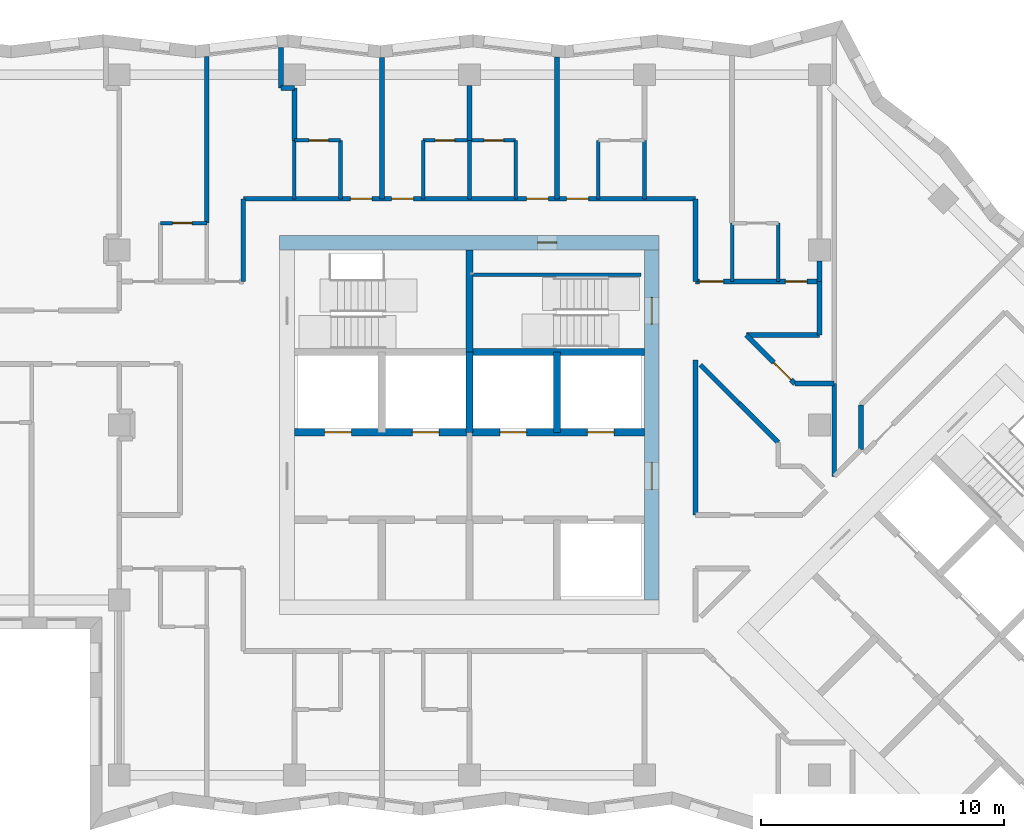
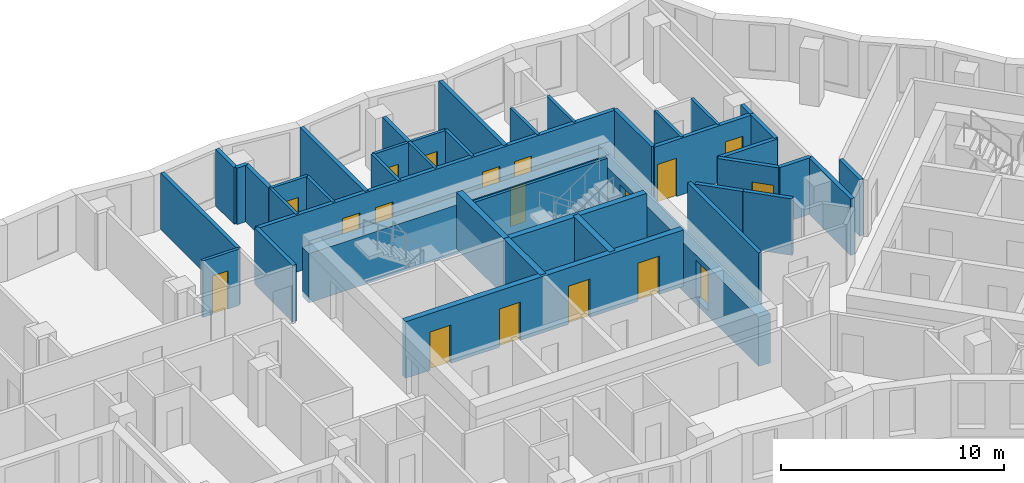
# One storey, part 6 of 12: 41 walls, 18 doors, 18 openings.
"""IFC4 building model written with IfcOpenShell, lengths in metres."""

import ifcopenshell
import ifcopenshell.guid

model = None  # the IFC model being written
_history = None  # IfcOwnerHistory: only IFC2X3 demands one
_inside = {}  # id of a spatial element -> (the spatial element, [elements in it])
_under = {}  # id of a project, library or spatial element -> (it, [spatial elements below it])
_declared = {}  # id of a project -> (the project, [libraries it declares])
_typed = {}  # id of a type object -> (the type object, [elements of that type])
_made_of = {}  # id of a material, layer set ... -> (it, [elements and type objects made of it])


def new_model(schema):
    """Start an empty IFC model of exactly this schema.

    Asked for "IFC4X3", IfcOpenShell would pick the latest addendum, in which some entities
    have other attributes; the version numbers below select the first issue.
    IFC2X3 requires an IfcOwnerHistory on every rooted entity: one is made here for all.
    """
    global model, _history
    if schema == "IFC4X3":
        model = ifcopenshell.file(schema_version=(4, 3, 0, 0))
    else:
        model = ifcopenshell.file(schema=schema)
    _inside.clear()
    _under.clear()
    _declared.clear()
    _typed.clear()
    _made_of.clear()
    _history = None
    if model.schema == "IFC2X3":
        org = make("IfcOrganization", Name="unknown")
        user = make(
            "IfcPersonAndOrganization",
            ThePerson=make("IfcPerson", FamilyName="unknown"),
            TheOrganization=org,
        )
        app = make(
            "IfcApplication",
            ApplicationDeveloper=org,
            Version="unknown",
            ApplicationFullName="unknown",
            ApplicationIdentifier="unknown",
        )
        _history = make(
            "IfcOwnerHistory",
            OwningUser=user,
            OwningApplication=app,
            ChangeAction="ADDED",
            CreationDate=0,
        )
    return model


def make(cls, **values):
    """One entity of the class cls with the attributes given. An attribute that is None is left unset."""
    return model.create_entity(
        cls, **{name: value for name, value in values.items() if value is not None}
    )


def rooted(cls, **values):
    """An entity with a GlobalId (a new one), such as an element, a storey or a relation."""
    return make(cls, GlobalId=ifcopenshell.guid.new(), OwnerHistory=_history, **values)


def si_unit(unit_type, name, prefix=None):
    """IfcSIUnit, for example si_unit("LENGTHUNIT", "METRE", prefix="MILLI")."""
    return make("IfcSIUnit", UnitType=unit_type, Prefix=prefix, Name=name)


def assignment(units):
    """IfcUnitAssignment: the units of a project."""
    return None if units is None else make("IfcUnitAssignment", Units=units)


def point(xyz):
    """IfcCartesianPoint."""
    return None if xyz is None else make("IfcCartesianPoint", Coordinates=xyz)


def direction(xyz):
    """IfcDirection."""
    return None if xyz is None else make("IfcDirection", DirectionRatios=xyz)


def frame(location, z_axis=None, x_axis=None):
    """IfcAxis2Placement3D, a coordinate frame: its origin and axes. An axis left out is left unset."""
    return make(
        "IfcAxis2Placement3D",
        Location=point(location),
        Axis=direction(z_axis),
        RefDirection=direction(x_axis),
    )


def frame_2d(location, x_axis=None):
    """IfcAxis2Placement2D, a coordinate frame in the plane: its origin and x axis."""
    return make(
        "IfcAxis2Placement2D", Location=point(location), RefDirection=direction(x_axis)
    )


def origin():
    """The frame at (0, 0, 0) with its axes left unset."""
    return frame((0.0, 0.0, 0.0))


def place(relative_to, where):
    """IfcLocalPlacement: puts the frame where relative to a parent placement (None: the world)."""
    return make(
        "IfcLocalPlacement", PlacementRelTo=relative_to, RelativePlacement=where
    )


def context(
    kind, dimensions, precision=None, world=None, true_north=None, identifier=None
):
    """IfcGeometricRepresentationContext, for example the 3D "Model" context."""
    return make(
        "IfcGeometricRepresentationContext",
        ContextIdentifier=identifier,
        ContextType=kind,
        CoordinateSpaceDimension=dimensions,
        Precision=precision,
        WorldCoordinateSystem=world,
        TrueNorth=true_north,
    )


def subcontext(parent, identifier, kind, view, scale=None):
    """IfcGeometricRepresentationSubContext, for example "Body" below "Model"."""
    return make(
        "IfcGeometricRepresentationSubContext",
        ContextIdentifier=identifier,
        ContextType=kind,
        ParentContext=parent,
        TargetScale=scale,
        TargetView=view,
    )


def project(units=None, contexts=None):
    """IfcProject with its units and contexts."""
    return rooted(
        "IfcProject",
        Name="project",
        RepresentationContexts=contexts,
        UnitsInContext=assignment(units),
    )


def spatial(cls, under=None, at=None, **own):
    """A site, building, storey or space (cls), placed at a placement, below another one or the project."""
    s = rooted(cls, ObjectPlacement=at, **own)
    if under is not None:
        _under.setdefault(under.id(), (under, []))[1].append(s)
    return s


def profile(cls, at=None, kind="AREA", **sizes):
    """A parametric profile (cls). Its sizes go by their IFC names, for example OverallWidth=200.0."""
    return make(cls, ProfileType=kind, Position=at, **sizes)


def rectangle(**sizes):
    """IfcRectangleProfileDef."""
    return profile("IfcRectangleProfileDef", **sizes)


def extrude(swept, where, along, depth):
    """IfcExtrudedAreaSolid: the profile swept, set in the frame where, extruded along a direction by depth."""
    return make(
        "IfcExtrudedAreaSolid",
        SweptArea=swept,
        Position=where,
        ExtrudedDirection=direction(along),
        Depth=depth,
    )


def shape(context_of_items, identifier, shape_type, items):
    """IfcShapeRepresentation: the items that make up one representation, for example the "Body"."""
    return make(
        "IfcShapeRepresentation",
        ContextOfItems=context_of_items,
        RepresentationIdentifier=identifier,
        RepresentationType=shape_type,
        Items=items,
    )


def material(Name=None, Category=None):
    """IfcMaterial."""
    return make("IfcMaterial", Name=Name, Category=Category)


def layer(
    of_material, thickness, ventilated=None, Name=None, Category=None, Priority=None
):
    """IfcMaterialLayer: one layer of a wall or slab, of a material (None: an air gap)."""
    return make(
        "IfcMaterialLayer",
        Material=of_material,
        LayerThickness=thickness,
        IsVentilated=ventilated,
        Name=Name,
        Category=Category,
        Priority=Priority,
    )


def layer_set(layers, Name=None):
    """IfcMaterialLayerSet."""
    return make("IfcMaterialLayerSet", MaterialLayers=layers, LayerSetName=Name)


def made_of(thing, what):
    """Note that an element or type object is made of a material, layer set ...; save() writes the relation."""
    if what is not None:
        _made_of.setdefault(what.id(), (what, []))[1].append(thing)
    return thing


def type_object(cls, material=None, **own):
    """A type object (cls), such as IfcWallType, which elements share."""
    return made_of(rooted(cls, **own), material)


def element(
    cls,
    number,
    at=None,
    inside=None,
    cuts=None,
    type_object=None,
    material=None,
    context=None,
    identifier="Body",
    shape_type=None,
    held_by="IfcProductDefinitionShape",
    body=None,
    shapes=None,
    **own,
):
    """One element of the class cls, such as IfcWall. Its Tag is "e" and its number.

    at: its placement. inside: the storey or other place that contains it. cuts: it is an
    opening in that element (IfcRelVoidsElement). A single representation is given by context,
    identifier, shape_type and body (its items); several are given by shapes. held_by: the class
    of the entity that holds the representations. save() writes the other relations.
    """
    e = rooted(cls, Tag="e%d" % number, ObjectPlacement=at, **own)
    if body is not None:
        shapes = [shape(context, identifier, shape_type, body)]
    if shapes is not None:
        e.Representation = make(held_by, Representations=shapes)
    if inside is not None:
        _inside.setdefault(inside.id(), (inside, []))[1].append(e)
    if cuts is not None:
        rooted(
            "IfcRelVoidsElement", RelatingBuildingElement=cuts, RelatedOpeningElement=e
        )
    if type_object is not None:
        _typed.setdefault(type_object.id(), (type_object, []))[1].append(e)
    return made_of(e, material)


def fill(opening, filler):
    """IfcRelFillsElement: the door or window that sits in an opening."""
    return rooted(
        "IfcRelFillsElement",
        RelatingOpeningElement=opening,
        RelatedBuildingElement=filler,
    )


def aggregate(whole, parts):
    """IfcRelAggregates: a whole, such as a stair, and the parts it consists of."""
    return rooted("IfcRelAggregates", RelatingObject=whole, RelatedObjects=parts)


def save(model, path):
    """Write the relations noted so far, then the file.

    IfcRelAggregates (storeys below a building ...), IfcRelContainedInSpatialStructure (elements
    in a storey), IfcRelDefinesByType, IfcRelAssociatesMaterial and IfcRelDeclares: one each for
    every whole, place, type object, material and project.
    """
    for whole, parts in _under.values():
        aggregate(whole, parts)
    for where, things in _inside.values():
        rooted(
            "IfcRelContainedInSpatialStructure",
            RelatedElements=things,
            RelatingStructure=where,
        )
    for kind, things in _typed.values():
        rooted("IfcRelDefinesByType", RelatedObjects=things, RelatingType=kind)
    for what, things in _made_of.values():
        rooted("IfcRelAssociatesMaterial", RelatedObjects=things, RelatingMaterial=what)
    for by, libraries in _declared.values():
        rooted("IfcRelDeclares", RelatingContext=by, RelatedDefinitions=libraries)
    model.write(path)


model = new_model("IFC4")

# Units and contexts
model_context = context("Model", 3, precision=1e-05, world=origin(), true_north=direction((0.0, 1.0)))
body_context = subcontext(model_context, "Body", "Model", "MODEL_VIEW")
ifc_project = project(units=[si_unit("LENGTHUNIT", "METRE"), si_unit("AREAUNIT", "SQUARE_METRE"), si_unit("VOLUMEUNIT", "CUBIC_METRE"), si_unit("PLANEANGLEUNIT", "RADIAN"), si_unit("MASSUNIT", "GRAM", prefix="KILO")], contexts=[model_context])

# Site, building, storey
site_placement = place(None, origin())
site = spatial("IfcSite", under=ifc_project, at=site_placement, CompositionType="ELEMENT")
building_placement = place(site_placement, origin())
building = spatial("IfcBuilding", under=site, at=building_placement, Name="Windrow Commons", CompositionType="ELEMENT")
storey_placement = place(building_placement, frame((0.0, 0.0, 152.4)))
storey = spatial("IfcBuildingStorey", under=building, at=storey_placement, Name="L41", CompositionType="ELEMENT", Elevation=152.4)

# Wall, openings, doors
ifc_material_1 = material(Name="Blockwork partition", Category="masonry")
ifc_layer_1 = layer(ifc_material_1, 0.2)
ifc_layer_set_1 = layer_set([ifc_layer_1], Name="IW-CORRIDOR-200")
wall_type_1 = type_object("IfcWallType", Name="IW-CORRIDOR-200", PredefinedType="PARTITIONING", material=ifc_layer_set_1)
wall_1_placement = place(storey_placement, frame((55.5, 66.9, 0.0), z_axis=(0.0, 0.0, 1.0), x_axis=(1.0, 0.0, 0.0)))
wall_1 = element("IfcWall", 1, at=wall_1_placement, inside=storey, type_object=wall_type_1, Name="W-L41-W002", PredefinedType="PARTITIONING", context=body_context, shape_type="SweptSolid", body=[
    extrude(rectangle(XDim=18.6, YDim=0.2, at=frame_2d((9.3, 0.0))), origin(), (0.0, 0.0, 1.0), 3.1),
])
opening_1_placement = place(wall_1_placement, frame((4.4, 0.0, 0.0)))
opening_1 = element("IfcOpeningElement", 2, at=opening_1_placement, cuts=wall_1, Name="Opening D109S", PredefinedType="OPENING", context=body_context, shape_type="SweptSolid", body=[
    extrude(rectangle(XDim=0.9, YDim=2.1, at=frame_2d((0.45, 1.05))), frame((0.0, 0.11, 0.0), z_axis=(0.0, -1.0, 0.0), x_axis=(1.0, 0.0, 0.0)), (0.0, 0.0, 1.0), 0.22),
])
opening_2_placement = place(wall_1_placement, frame((6.1, 0.0, 0.0)))
opening_2 = element("IfcOpeningElement", 3, at=opening_2_placement, cuts=wall_1, Name="Opening D109S", PredefinedType="OPENING", context=body_context, shape_type="SweptSolid", body=[
    extrude(rectangle(XDim=0.9, YDim=2.1, at=frame_2d((0.45, 1.05))), frame((0.0, 0.11, 0.0), z_axis=(0.0, -1.0, 0.0), x_axis=(1.0, 0.0, 0.0)), (0.0, 0.0, 1.0), 0.22),
])
opening_3_placement = place(wall_1_placement, frame((11.65, 0.0, 0.0)))
opening_3 = element("IfcOpeningElement", 4, at=opening_3_placement, cuts=wall_1, Name="Opening D109S", PredefinedType="OPENING", context=body_context, shape_type="SweptSolid", body=[
    extrude(rectangle(XDim=0.9, YDim=2.1, at=frame_2d((0.45, 1.05))), frame((0.0, 0.11, 0.0), z_axis=(0.0, -1.0, 0.0), x_axis=(1.0, 0.0, 0.0)), (0.0, 0.0, 1.0), 0.22),
])
opening_4_placement = place(wall_1_placement, frame((13.3, 0.0, 0.0)))
opening_4 = element("IfcOpeningElement", 5, at=opening_4_placement, cuts=wall_1, Name="Opening D109S", PredefinedType="OPENING", context=body_context, shape_type="SweptSolid", body=[
    extrude(rectangle(XDim=0.9, YDim=2.1, at=frame_2d((0.45, 1.05))), frame((0.0, 0.11, 0.0), z_axis=(0.0, -1.0, 0.0), x_axis=(1.0, 0.0, 0.0)), (0.0, 0.0, 1.0), 0.22),
])
ifc_material_2 = material(Name="Timber door leaf", Category="wood")
door_type_1 = type_object("IfcDoorType", Name="DT-BEDROOM-900", OperationType="SINGLE_SWING_LEFT", PredefinedType="DOOR", material=ifc_material_2)
door_1_placement = place(opening_1_placement, origin())
door_1 = element("IfcDoor", 6, at=door_1_placement, inside=storey, type_object=door_type_1, Name="D-L41-D008", OperationType="SINGLE_SWING_RIGHT", OverallHeight=2.1, OverallWidth=0.9, PredefinedType="DOOR", context=body_context, shape_type="SweptSolid", body=[
    extrude(rectangle(XDim=0.9, YDim=2.1, at=frame_2d((0.45, 1.05))), frame((0.0, 0.025, 0.0), z_axis=(0.0, -1.0, 0.0), x_axis=(1.0, 0.0, 0.0)), (0.0, 0.0, 1.0), 0.05),
])
fill(opening_1, door_1)
door_2_placement = place(opening_2_placement, origin())
door_2 = element("IfcDoor", 7, at=door_2_placement, inside=storey, type_object=door_type_1, Name="D-L41-D010", OperationType="SINGLE_SWING_LEFT", OverallHeight=2.1, OverallWidth=0.9, PredefinedType="DOOR", context=body_context, shape_type="SweptSolid", body=[
    extrude(rectangle(XDim=0.9, YDim=2.1, at=frame_2d((0.45, 1.05))), frame((0.0, 0.025, 0.0), z_axis=(0.0, -1.0, 0.0), x_axis=(1.0, 0.0, 0.0)), (0.0, 0.0, 1.0), 0.05),
])
fill(opening_2, door_2)
door_3_placement = place(opening_3_placement, origin())
door_3 = element("IfcDoor", 8, at=door_3_placement, inside=storey, type_object=door_type_1, Name="D-L41-D012", OperationType="SINGLE_SWING_RIGHT", OverallHeight=2.1, OverallWidth=0.9, PredefinedType="DOOR", context=body_context, shape_type="SweptSolid", body=[
    extrude(rectangle(XDim=0.9, YDim=2.1, at=frame_2d((0.45, 1.05))), frame((0.0, 0.025, 0.0), z_axis=(0.0, -1.0, 0.0), x_axis=(1.0, 0.0, 0.0)), (0.0, 0.0, 1.0), 0.05),
])
fill(opening_3, door_3)
door_4_placement = place(opening_4_placement, origin())
door_4 = element("IfcDoor", 9, at=door_4_placement, inside=storey, type_object=door_type_1, Name="D-L41-D014", OperationType="SINGLE_SWING_LEFT", OverallHeight=2.1, OverallWidth=0.9, PredefinedType="DOOR", context=body_context, shape_type="SweptSolid", body=[
    extrude(rectangle(XDim=0.9, YDim=2.1, at=frame_2d((0.45, 1.05))), frame((0.0, 0.025, 0.0), z_axis=(0.0, -1.0, 0.0), x_axis=(1.0, 0.0, 0.0)), (0.0, 0.0, 1.0), 0.05),
])
fill(opening_4, door_4)

# Wall
wall_2_placement = place(storey_placement, frame((74.1, 53.902, 0.0), z_axis=(0.0, 0.0, 1.0), x_axis=(0.0, 1.0, 0.0)))
element("IfcWall", 10, at=wall_2_placement, inside=storey, type_object=wall_type_1, Name="W-L41-W019", PredefinedType="PARTITIONING", context=body_context, shape_type="SweptSolid", body=[
    extrude(rectangle(XDim=6.366, YDim=0.2, at=frame_2d((3.183, 0.0))), origin(), (0.0, 0.0, 1.0), 3.1),
])

# Wall, openings, doors
wall_3_placement = place(storey_placement, frame((74.102, 63.5, 0.0), z_axis=(0.0, 0.0, 1.0), x_axis=(1.0, 0.0, 0.0)))
wall_3 = element("IfcWall", 11, at=wall_3_placement, inside=storey, type_object=wall_type_1, Name="W-L41-W039", PredefinedType="PARTITIONING", context=body_context, shape_type="SweptSolid", body=[
    extrude(rectangle(XDim=5.098, YDim=0.2, at=frame_2d((2.549, 0.0))), origin(), (0.0, 0.0, 1.0), 3.1),
])
opening_5_placement = place(wall_3_placement, frame((0.1491, 0.0, 0.0)))
opening_5 = element("IfcOpeningElement", 12, at=opening_5_placement, cuts=wall_3, Name="Opening D310F", PredefinedType="OPENING", context=body_context, shape_type="SweptSolid", body=[
    extrude(rectangle(XDim=1.0, YDim=2.1, at=frame_2d((0.5, 1.05))), frame((0.0, 0.11, 0.0), z_axis=(0.0, -1.0, 0.0), x_axis=(1.0, 0.0, 0.0)), (0.0, 0.0, 1.0), 0.22),
])
opening_6_placement = place(wall_3_placement, frame((3.688, 0.0, 0.0)))
opening_6 = element("IfcOpeningElement", 13, at=opening_6_placement, cuts=wall_3, Name="Opening D109S", PredefinedType="OPENING", context=body_context, shape_type="SweptSolid", body=[
    extrude(rectangle(XDim=0.9, YDim=2.1, at=frame_2d((0.45, 1.05))), frame((0.0, 0.11, 0.0), z_axis=(0.0, -1.0, 0.0), x_axis=(1.0, 0.0, 0.0)), (0.0, 0.0, 1.0), 0.22),
])
ifc_material_3 = material(Name="Timber door leaf", Category="wood")
door_type_2 = type_object("IfcDoorType", Name="DT-AMENITY-1000", OperationType="SINGLE_SWING_LEFT", PredefinedType="DOOR", material=ifc_material_3)
door_5_placement = place(opening_5_placement, origin())
door_5 = element("IfcDoor", 14, at=door_5_placement, inside=storey, type_object=door_type_2, Name="D-L41-D026", OperationType="SINGLE_SWING_RIGHT", OverallHeight=2.1, OverallWidth=1.0, PredefinedType="DOOR", context=body_context, shape_type="SweptSolid", body=[
    extrude(rectangle(XDim=1.0, YDim=2.1, at=frame_2d((0.5, 1.05))), frame((0.0, 0.025, 0.0), z_axis=(0.0, -1.0, 0.0), x_axis=(1.0, 0.0, 0.0)), (0.0, 0.0, 1.0), 0.05),
])
fill(opening_5, door_5)
door_6_placement = place(opening_6_placement, origin())
door_6 = element("IfcDoor", 15, at=door_6_placement, inside=storey, type_object=door_type_1, Name="D-L41-D027", OperationType="SINGLE_SWING_LEFT", OverallHeight=2.1, OverallWidth=0.9, PredefinedType="DOOR", context=body_context, shape_type="SweptSolid", body=[
    extrude(rectangle(XDim=0.9, YDim=2.1, at=frame_2d((0.45, 1.05))), frame((0.0, 0.025, 0.0), z_axis=(0.0, -1.0, 0.0), x_axis=(1.0, 0.0, 0.0)), (0.0, 0.0, 1.0), 0.05),
])
fill(opening_6, door_6)

# Walls
wall_4_placement = place(storey_placement, frame((79.8, 55.49, 0.0), z_axis=(0.0, 0.0, 1.0), x_axis=(0.0, 1.0, 0.0)))
element("IfcWall", 16, at=wall_4_placement, inside=storey, type_object=wall_type_1, Name="W-L41-W045", PredefinedType="PARTITIONING", context=body_context, shape_type="SweptSolid", body=[
    extrude(rectangle(XDim=3.81, YDim=0.2, at=frame_2d((1.905, 0.0))), origin(), (0.0, 0.0, 1.0), 3.1),
])
for number, where, z_axis, x_axis, name in (
    (17, (55.5, 63.502, 0.0), (0.0, 0.0, 1.0), (0.0, 1.0, 0.0), "W-L41-W050"),
    (18, (74.1, 63.502, 0.0), (0.0, 0.0, 1.0), (0.0, 1.0, 0.0), "W-L41-W051"),
):
    element("IfcWall", number, at=place(storey_placement, frame(where, z_axis=z_axis, x_axis=x_axis)), inside=storey, type_object=wall_type_1, Name=name, PredefinedType="PARTITIONING", context=body_context, shape_type="SweptSolid", body=[
        extrude(rectangle(XDim=3.398, YDim=0.2, at=frame_2d((1.699, 0.0))), origin(), (0.0, 0.0, 1.0), 3.1),
    ])
wall_5_placement = place(storey_placement, frame((76.184, 61.3, 0.0), z_axis=(0.0, 0.0, 1.0), x_axis=(1.0, 0.0, 0.0)))
element("IfcWall", 19, at=wall_5_placement, inside=storey, type_object=wall_type_1, Name="W-L41-W056", PredefinedType="PARTITIONING", context=body_context, shape_type="SweptSolid", body=[
    extrude(rectangle(XDim=3.016, YDim=0.2, at=frame_2d((1.508, 0.0))), origin(), (0.0, 0.0, 1.0), 3.1),
])

# Wall, opening, door
wall_6_placement = place(storey_placement, frame((76.1809, 61.2949, 0.0), z_axis=(0.0, 0.0, 1.0), x_axis=(0.7071067812, -0.7071067812, 0.0)))
wall_6 = element("IfcWall", 20, at=wall_6_placement, inside=storey, type_object=wall_type_1, Name="W-L41-W059", PredefinedType="PARTITIONING", context=body_context, shape_type="SweptSolid", body=[
    extrude(rectangle(XDim=2.8256, YDim=0.2, at=frame_2d((1.4128, 0.0))), origin(), (0.0, 0.0, 1.0), 3.1),
])
opening_7_placement = place(wall_6_placement, frame((1.6002, 0.0, 0.0)))
opening_7 = element("IfcOpeningElement", 21, at=opening_7_placement, cuts=wall_6, Name="Opening D410F", PredefinedType="OPENING", context=body_context, shape_type="SweptSolid", body=[
    extrude(rectangle(XDim=1.0, YDim=2.1, at=frame_2d((0.5, 1.05))), frame((0.0, 0.11, 0.0), z_axis=(0.0, -1.0, 0.0), x_axis=(1.0, 0.0, 0.0)), (0.0, 0.0, 1.0), 0.22),
])
ifc_material_4 = material(Name="Timber door leaf", Category="wood")
door_type_3 = type_object("IfcDoorType", Name="DT-SERVICE-1000", OperationType="SINGLE_SWING_LEFT", PredefinedType="DOOR", material=ifc_material_4)
door_7_placement = place(opening_7_placement, origin())
door_7 = element("IfcDoor", 22, at=door_7_placement, inside=storey, type_object=door_type_3, Name="D-L41-D039", OperationType="SINGLE_SWING_LEFT", OverallHeight=2.1, OverallWidth=1.0, PredefinedType="DOOR", context=body_context, shape_type="SweptSolid", body=[
    extrude(rectangle(XDim=1.0, YDim=2.1, at=frame_2d((0.5, 1.05))), frame((0.0, 0.025, 0.0), z_axis=(0.0, -1.0, 0.0), x_axis=(1.0, 0.0, 0.0)), (0.0, 0.0, 1.0), 0.05),
])
fill(opening_7, door_7)

# Walls
wall_7_placement = place(storey_placement, frame((75.8786, 58.4966, 0.0), z_axis=(0.0, 0.0, 1.0), x_axis=(0.7075423257, -0.7066709682, 0.0)))
element("IfcWall", 23, at=wall_7_placement, inside=storey, type_object=wall_type_1, Name="W-L41-W098", PredefinedType="PARTITIONING", context=body_context, shape_type="SweptSolid", body=[
    extrude(rectangle(XDim=2.2953, YDim=0.2, at=frame_2d((1.1477, 0.0))), origin(), (0.0, 0.0, 1.0), 3.1),
])
wall_8_placement = place(storey_placement, frame((74.2972, 60.0672, 0.0), z_axis=(0.0, 0.0, 1.0), x_axis=(0.7071067812, -0.7071067812, 0.0)))
element("IfcWall", 24, at=wall_8_placement, inside=storey, type_object=wall_type_1, Name="W-L41-W105", PredefinedType="PARTITIONING", context=body_context, shape_type="SweptSolid", body=[
    extrude(rectangle(XDim=2.2288, YDim=0.2, at=frame_2d((1.1144, 0.0))), origin(), (0.0, 0.0, 1.0), 3.1),
])
wall_9_placement = place(storey_placement, frame((79.2, 61.302, 0.0), z_axis=(0.0, 0.0, 1.0), x_axis=(0.0, 1.0, 0.0)))
element("IfcWall", 25, at=wall_9_placement, inside=storey, type_object=wall_type_1, Name="W-L41-W110", PredefinedType="PARTITIONING", context=body_context, shape_type="SweptSolid", body=[
    extrude(rectangle(XDim=2.198, YDim=0.2, at=frame_2d((1.099, 0.0))), origin(), (0.0, 0.0, 1.0), 3.1),
])
wall_10_placement = place(storey_placement, frame((78.182, 59.3, 0.0), z_axis=(0.0, 0.0, 1.0), x_axis=(1.0, 0.0, 0.0)))
element("IfcWall", 26, at=wall_10_placement, inside=storey, type_object=wall_type_1, Name="W-L41-W141", PredefinedType="PARTITIONING", context=body_context, shape_type="SweptSolid", body=[
    extrude(rectangle(XDim=1.618, YDim=0.2, at=frame_2d((0.809, 0.0))), origin(), (0.0, 0.0, 1.0), 3.1),
])

# Wall, openings, doors
ifc_material_5 = material(Name="Blockwork partition", Category="masonry")
ifc_layer_2 = layer(ifc_material_5, 0.15)
ifc_layer_set_2 = layer_set([ifc_layer_2], Name="IW-ENSUITE-150")
wall_type_2 = type_object("IfcWallType", Name="IW-ENSUITE-150", PredefinedType="PARTITIONING", material=ifc_layer_set_2)
wall_11_placement = place(storey_placement, frame((62.9, 69.3, 0.0), z_axis=(0.0, 0.0, 1.0), x_axis=(1.0, 0.0, 0.0)))
wall_11 = element("IfcWall", 27, at=wall_11_placement, inside=storey, type_object=wall_type_2, Name="W-L41-W046", PredefinedType="PARTITIONING", context=body_context, shape_type="SweptSolid", body=[
    extrude(rectangle(XDim=3.8, YDim=0.15, at=frame_2d((1.9, 0.0))), origin(), (0.0, 0.0, 1.0), 3.1),
])
opening_8_placement = place(wall_11_placement, frame((0.4931, 0.0, 0.0)))
opening_8 = element("IfcOpeningElement", 28, at=opening_8_placement, cuts=wall_11, Name="Opening D208N", PredefinedType="OPENING", context=body_context, shape_type="SweptSolid", body=[
    extrude(rectangle(XDim=0.8, YDim=2.1, at=frame_2d((0.4, 1.05))), frame((0.0, 0.085, 0.0), z_axis=(0.0, -1.0, 0.0), x_axis=(1.0, 0.0, 0.0)), (0.0, 0.0, 1.0), 0.17),
])
opening_9_placement = place(wall_11_placement, frame((2.5069, 0.0, 0.0)))
opening_9 = element("IfcOpeningElement", 29, at=opening_9_placement, cuts=wall_11, Name="Opening D208N", PredefinedType="OPENING", context=body_context, shape_type="SweptSolid", body=[
    extrude(rectangle(XDim=0.8, YDim=2.1, at=frame_2d((0.4, 1.05))), frame((0.0, 0.085, 0.0), z_axis=(0.0, -1.0, 0.0), x_axis=(1.0, 0.0, 0.0)), (0.0, 0.0, 1.0), 0.17),
])
ifc_material_6 = material(Name="Timber door leaf", Category="wood")
door_type_4 = type_object("IfcDoorType", Name="DT-ENSUITE-800", OperationType="SINGLE_SWING_LEFT", PredefinedType="DOOR", material=ifc_material_6)
door_8_placement = place(opening_8_placement, origin())
door_8 = element("IfcDoor", 30, at=door_8_placement, inside=storey, type_object=door_type_4, Name="D-L41-D011", OperationType="SINGLE_SWING_RIGHT", OverallHeight=2.1, OverallWidth=0.8, PredefinedType="DOOR", context=body_context, shape_type="SweptSolid", body=[
    extrude(rectangle(XDim=0.8, YDim=2.1, at=frame_2d((0.4, 1.05))), frame((0.0, 0.025, 0.0), z_axis=(0.0, -1.0, 0.0), x_axis=(1.0, 0.0, 0.0)), (0.0, 0.0, 1.0), 0.05),
])
fill(opening_8, door_8)
door_9_placement = place(opening_9_placement, origin())
door_9 = element("IfcDoor", 31, at=door_9_placement, inside=storey, type_object=door_type_4, Name="D-L41-D013", OperationType="SINGLE_SWING_RIGHT", OverallHeight=2.1, OverallWidth=0.8, PredefinedType="DOOR", context=body_context, shape_type="SweptSolid", body=[
    extrude(rectangle(XDim=0.8, YDim=2.1, at=frame_2d((0.4, 1.05))), frame((0.0, 0.025, 0.0), z_axis=(0.0, -1.0, 0.0), x_axis=(1.0, 0.0, 0.0)), (0.0, 0.0, 1.0), 0.05),
])
fill(opening_9, door_9)

# Walls
for number, where, z_axis, x_axis, name in (
    (32, (75.6, 63.5, 0.0), (0.0, 0.0, 1.0), (0.0, 1.0, 0.0), "W-L41-W080"),
    (33, (77.5, 63.5, 0.0), (0.0, 0.0, 1.0), (0.0, 1.0, 0.0), "W-L41-W081"),
    (34, (59.5, 66.9, 0.0), (0.0, 0.0, 1.0), (0.0, 1.0, 0.0), "W-L41-W088"),
    (35, (57.6, 66.9, 0.0), (0.0, 0.0, 1.0), (0.0, 1.0, 0.0), "W-L41-W089"),
    (36, (62.9, 66.9, 0.0), (0.0, 0.0, 1.0), (0.0, 1.0, 0.0), "W-L41-W090"),
    (37, (64.8, 66.9, 0.0), (0.0, 0.0, 1.0), (0.0, 1.0, 0.0), "W-L41-W091"),
    (38, (66.7, 66.9, 0.0), (0.0, 0.0, 1.0), (0.0, 1.0, 0.0), "W-L41-W092"),
    (39, (70.1, 66.9, 0.0), (0.0, 0.0, 1.0), (0.0, 1.0, 0.0), "W-L41-W093"),
    (40, (72.0, 66.9, 0.0), (0.0, 0.0, 1.0), (0.0, 1.0, 0.0), "W-L41-W094"),
):
    element("IfcWall", number, at=place(storey_placement, frame(where, z_axis=z_axis, x_axis=x_axis)), inside=storey, type_object=wall_type_2, Name=name, PredefinedType="PARTITIONING", context=body_context, shape_type="SweptSolid", body=[
        extrude(rectangle(XDim=2.4, YDim=0.15, at=frame_2d((1.2, 0.0))), origin(), (0.0, 0.0, 1.0), 3.1),
    ])

# Wall, opening, door
wall_12_placement = place(storey_placement, frame((52.1, 65.9, 0.0), z_axis=(0.0, 0.0, 1.0), x_axis=(1.0, 0.0, 0.0)))
wall_12 = element("IfcWall", 41, at=wall_12_placement, inside=storey, type_object=wall_type_2, Name="W-L41-W129", PredefinedType="PARTITIONING", context=body_context, shape_type="SweptSolid", body=[
    extrude(rectangle(XDim=1.9, YDim=0.15, at=frame_2d((0.95, 0.0))), origin(), (0.0, 0.0, 1.0), 3.1),
])
opening_10_placement = place(wall_12_placement, frame((0.4931, 0.0, 0.0)))
opening_10 = element("IfcOpeningElement", 42, at=opening_10_placement, cuts=wall_12, Name="Opening D208N", PredefinedType="OPENING", context=body_context, shape_type="SweptSolid", body=[
    extrude(rectangle(XDim=0.8, YDim=2.1, at=frame_2d((0.4, 1.05))), frame((0.0, 0.085, 0.0), z_axis=(0.0, -1.0, 0.0), x_axis=(1.0, 0.0, 0.0)), (0.0, 0.0, 1.0), 0.17),
])
door_10_placement = place(opening_10_placement, origin())
door_10 = element("IfcDoor", 43, at=door_10_placement, inside=storey, type_object=door_type_4, Name="D-L41-D024", OperationType="SINGLE_SWING_RIGHT", OverallHeight=2.1, OverallWidth=0.8, PredefinedType="DOOR", context=body_context, shape_type="SweptSolid", body=[
    extrude(rectangle(XDim=0.8, YDim=2.1, at=frame_2d((0.4, 1.05))), frame((0.0, 0.025, 0.0), z_axis=(0.0, -1.0, 0.0), x_axis=(1.0, 0.0, 0.0)), (0.0, 0.0, 1.0), 0.05),
])
fill(opening_10, door_10)

wall_13_placement = place(storey_placement, frame((57.6, 69.3, 0.0), z_axis=(0.0, 0.0, 1.0), x_axis=(1.0, 0.0, 0.0)))
wall_13 = element("IfcWall", 44, at=wall_13_placement, inside=storey, type_object=wall_type_2, Name="W-L41-W132", PredefinedType="PARTITIONING", context=body_context, shape_type="SweptSolid", body=[
    extrude(rectangle(XDim=1.9, YDim=0.15, at=frame_2d((0.95, 0.0))), origin(), (0.0, 0.0, 1.0), 3.1),
])
opening_11_placement = place(wall_13_placement, frame((0.6069, 0.0, 0.0)))
opening_11 = element("IfcOpeningElement", 45, at=opening_11_placement, cuts=wall_13, Name="Opening D208N", PredefinedType="OPENING", context=body_context, shape_type="SweptSolid", body=[
    extrude(rectangle(XDim=0.8, YDim=2.1, at=frame_2d((0.4, 1.05))), frame((0.0, 0.085, 0.0), z_axis=(0.0, -1.0, 0.0), x_axis=(1.0, 0.0, 0.0)), (0.0, 0.0, 1.0), 0.17),
])
door_11_placement = place(opening_11_placement, origin())
door_11 = element("IfcDoor", 46, at=door_11_placement, inside=storey, type_object=door_type_4, Name="D-L41-D009", OperationType="SINGLE_SWING_RIGHT", OverallHeight=2.1, OverallWidth=0.8, PredefinedType="DOOR", context=body_context, shape_type="SweptSolid", body=[
    extrude(rectangle(XDim=0.8, YDim=2.1, at=frame_2d((0.4, 1.05))), frame((0.0, 0.025, 0.0), z_axis=(0.0, -1.0, 0.0), x_axis=(1.0, 0.0, 0.0)), (0.0, 0.0, 1.0), 0.05),
])
fill(opening_11, door_11)

# Walls
ifc_material_7 = material(Name="Blockwork partition", Category="masonry")
ifc_layer_3 = layer(ifc_material_7, 0.2)
ifc_layer_set_3 = layer_set([ifc_layer_3], Name="IW-PARTY-200")
wall_type_3 = type_object("IfcWallType", Name="IW-PARTY-200", PredefinedType="PARTITIONING", material=ifc_layer_set_3)
wall_14_placement = place(storey_placement, frame((54.0, 65.9, 0.0), z_axis=(0.0, 0.0, 1.0), x_axis=(0.0, 1.0, 0.0)))
element("IfcWall", 47, at=wall_14_placement, inside=storey, type_object=wall_type_3, Name="W-L41-W018", PredefinedType="PARTITIONING", context=body_context, shape_type="SweptSolid", body=[
    extrude(rectangle(XDim=6.8511, YDim=0.2, at=frame_2d((3.4255, 0.0))), origin(), (0.0, 0.0, 1.0), 3.1),
])
wall_15_placement = place(storey_placement, frame((68.4, 66.9, 0.0), z_axis=(0.0, 0.0, 1.0), x_axis=(0.0, 1.0, 0.0)))
element("IfcWall", 48, at=wall_15_placement, inside=storey, type_object=wall_type_3, Name="W-L41-W032", PredefinedType="PARTITIONING", context=body_context, shape_type="SweptSolid", body=[
    extrude(rectangle(XDim=5.8363, YDim=0.2, at=frame_2d((2.9181, 0.0))), origin(), (0.0, 0.0, 1.0), 3.1),
])
wall_16_placement = place(storey_placement, frame((61.2, 66.9, 0.0), z_axis=(0.0, 0.0, 1.0), x_axis=(0.0, 1.0, 0.0)))
element("IfcWall", 49, at=wall_16_placement, inside=storey, type_object=wall_type_3, Name="W-L41-W033", PredefinedType="PARTITIONING", context=body_context, shape_type="SweptSolid", body=[
    extrude(rectangle(XDim=5.8039, YDim=0.2, at=frame_2d((2.9019, 0.0))), origin(), (0.0, 0.0, 1.0), 3.1),
])
wall_17_placement = place(storey_placement, frame((64.8, 69.3, 0.0), z_axis=(0.0, 0.0, 1.0), x_axis=(0.0, 1.0, 0.0)))
element("IfcWall", 50, at=wall_17_placement, inside=storey, type_object=wall_type_3, Name="W-L41-W103", PredefinedType="PARTITIONING", context=body_context, shape_type="SweptSolid", body=[
    extrude(rectangle(XDim=2.25, YDim=0.2, at=frame_2d((1.125, 0.0))), origin(), (0.0, 0.0, 1.0), 3.1),
])
wall_18_placement = place(storey_placement, frame((57.6, 69.3, 0.0), z_axis=(0.0, 0.0, 1.0), x_axis=(0.0, 1.0, 0.0)))
element("IfcWall", 51, at=wall_18_placement, inside=storey, type_object=wall_type_3, Name="W-L41-W114", PredefinedType="PARTITIONING", context=body_context, shape_type="SweptSolid", body=[
    extrude(rectangle(XDim=2.146, YDim=0.2, at=frame_2d((1.073, 0.0))), origin(), (0.0, 0.0, 1.0), 3.1),
])
wall_19_placement = place(storey_placement, frame((80.9, 56.588, 0.0), z_axis=(0.0, 0.0, 1.0), x_axis=(0.0, 1.0, 0.0)))
element("IfcWall", 52, at=wall_19_placement, inside=storey, type_object=wall_type_3, Name="W-L41-W138", PredefinedType="PARTITIONING", context=body_context, shape_type="SweptSolid", body=[
    extrude(rectangle(XDim=1.838, YDim=0.2, at=frame_2d((0.919, 0.0))), origin(), (0.0, 0.0, 1.0), 3.1),
])
wall_20_placement = place(storey_placement, frame((57.05, 71.446, 0.0), z_axis=(0.0, 0.0, 1.0), x_axis=(0.0, 1.0, 0.0)))
element("IfcWall", 53, at=wall_20_placement, inside=storey, type_object=wall_type_3, Name="W-L41-W142", PredefinedType="PARTITIONING", context=body_context, shape_type="SweptSolid", body=[
    extrude(rectangle(XDim=1.6672, YDim=0.2, at=frame_2d((0.8336, 0.0))), origin(), (0.0, 0.0, 1.0), 3.1),
])
wall_21_placement = place(storey_placement, frame((79.2, 63.5, 0.0), z_axis=(0.0, 0.0, 1.0), x_axis=(0.0, 1.0, 0.0)))
element("IfcWall", 54, at=wall_21_placement, inside=storey, type_object=wall_type_3, Name="W-L41-W159", PredefinedType="PARTITIONING", context=body_context, shape_type="SweptSolid", body=[
    extrude(rectangle(XDim=0.85, YDim=0.2, at=frame_2d((0.425, 0.0))), origin(), (0.0, 0.0, 1.0), 3.1),
])
wall_22_placement = place(storey_placement, frame((57.05, 71.45, 0.0), z_axis=(0.0, 0.0, 1.0), x_axis=(1.0, 0.0, 0.0)))
element("IfcWall", 55, at=wall_22_placement, inside=storey, type_object=wall_type_3, Name="W-L41-W162", PredefinedType="PARTITIONING", context=body_context, shape_type="SweptSolid", body=[
    extrude(rectangle(XDim=0.55, YDim=0.2, at=frame_2d((0.275, 0.0))), origin(), (0.0, 0.0, 1.0), 3.1),
])

# Wall, opening, door
ifc_material_8 = material(Name="Concrete C50/60", Category="concrete")
ifc_layer_4 = layer(ifc_material_8, 0.6)
ifc_layer_set_4 = layer_set([ifc_layer_4], Name="RC CORE WALL 600 C50/60")
wall_type_4 = type_object("IfcWallType", Name="RC CORE WALL 600 C50/60", PredefinedType="SHEAR", material=ifc_layer_set_4)
wall_23_placement = place(storey_placement, frame((57.0, 65.1, -0.3), z_axis=(0.0, 0.0, 1.0), x_axis=(1.0, 0.0, 0.0)))
wall_23 = element("IfcWall", 56, at=wall_23_placement, inside=storey, type_object=wall_type_4, Name="Core A wall outer-N", PredefinedType="SHEAR", context=body_context, shape_type="SweptSolid", body=[
    extrude(rectangle(XDim=15.6, YDim=0.6, at=frame_2d((7.8, 0.0))), origin(), (0.0, 0.0, 1.0), 2.7),
])
opening_12_placement = place(wall_23_placement, frame((10.6, 0.0, 0.3)))
opening_12 = element("IfcOpeningElement", 57, at=opening_12_placement, cuts=wall_23, Name="Opening D9", PredefinedType="OPENING", context=body_context, shape_type="SweptSolid", body=[
    extrude(rectangle(XDim=0.8, YDim=2.1, at=frame_2d((0.4, 1.05))), frame((0.0, 0.31, 0.0), z_axis=(0.0, -1.0, 0.0), x_axis=(1.0, 0.0, 0.0)), (0.0, 0.0, 1.0), 0.62),
])
ifc_material_9 = material(Name="Steel fire door leaf", Category="steel")
door_type_5 = type_object("IfcDoorType", Name="Riser access door 800", OperationType="SINGLE_SWING_LEFT", PredefinedType="DOOR", material=ifc_material_9)
door_12_placement = place(opening_12_placement, origin())
door_12 = element("IfcDoor", 58, at=door_12_placement, inside=storey, type_object=door_type_5, Name="Riser access door", OperationType="SINGLE_SWING_RIGHT", OverallHeight=2.1, OverallWidth=0.8, PredefinedType="DOOR", context=body_context, shape_type="SweptSolid", body=[
    extrude(rectangle(XDim=0.8, YDim=2.1, at=frame_2d((0.4, 1.05))), frame((0.0, 0.025, 0.0), z_axis=(0.0, -1.0, 0.0), x_axis=(1.0, 0.0, 0.0)), (0.0, 0.0, 1.0), 0.05),
])
fill(opening_12, door_12)

# Wall, openings, doors
wall_24_placement = place(storey_placement, frame((72.3, 50.4, -0.3), z_axis=(0.0, 0.0, 1.0), x_axis=(0.0, 1.0, 0.0)))
wall_24 = element("IfcWall", 59, at=wall_24_placement, inside=storey, type_object=wall_type_4, Name="Core A wall outer-E", PredefinedType="SHEAR", context=body_context, shape_type="SweptSolid", body=[
    extrude(rectangle(XDim=14.4, YDim=0.6, at=frame_2d((7.2, 0.0))), origin(), (0.0, 0.0, 1.0), 2.7),
])
opening_13_placement = place(wall_24_placement, frame((4.55, 0.0, 0.3)))
opening_13 = element("IfcOpeningElement", 60, at=opening_13_placement, cuts=wall_24, Name="Opening D6", PredefinedType="OPENING", context=body_context, shape_type="SweptSolid", body=[
    extrude(rectangle(XDim=1.1, YDim=2.1, at=frame_2d((0.55, 1.05))), frame((0.0, 0.31, 0.0), z_axis=(0.0, -1.0, 0.0), x_axis=(1.0, 0.0, 0.0)), (0.0, 0.0, 1.0), 0.62),
])
opening_14_placement = place(wall_24_placement, frame((11.35, 0.0, 0.3)))
opening_14 = element("IfcOpeningElement", 61, at=opening_14_placement, cuts=wall_24, Name="Opening D7", PredefinedType="OPENING", context=body_context, shape_type="SweptSolid", body=[
    extrude(rectangle(XDim=1.1, YDim=2.1, at=frame_2d((0.55, 1.05))), frame((0.0, 0.31, 0.0), z_axis=(0.0, -1.0, 0.0), x_axis=(1.0, 0.0, 0.0)), (0.0, 0.0, 1.0), 0.62),
])
ifc_material_10 = material(Name="Steel fire door leaf", Category="steel")
door_type_6 = type_object("IfcDoorType", Name="Core lobby door 1100", OperationType="SINGLE_SWING_LEFT", PredefinedType="DOOR", material=ifc_material_10)
door_13_placement = place(opening_13_placement, origin())
door_13 = element("IfcDoor", 62, at=door_13_placement, inside=storey, type_object=door_type_6, Name="Lift lobby door", OperationType="DOUBLE_DOOR_SINGLE_SWING", OverallHeight=2.1, OverallWidth=1.1, PredefinedType="DOOR", context=body_context, shape_type="SweptSolid", body=[
    extrude(rectangle(XDim=1.1, YDim=2.1, at=frame_2d((0.55, 1.05))), frame((0.0, 0.025, 0.0), z_axis=(0.0, -1.0, 0.0), x_axis=(1.0, 0.0, 0.0)), (0.0, 0.0, 1.0), 0.05),
])
fill(opening_13, door_13)
ifc_material_11 = material(Name="Steel fire door leaf", Category="steel")
door_type_7 = type_object("IfcDoorType", Name="Stair door 1100", OperationType="SINGLE_SWING_LEFT", PredefinedType="DOOR", material=ifc_material_11)
door_14_placement = place(opening_14_placement, origin())
door_14 = element("IfcDoor", 63, at=door_14_placement, inside=storey, type_object=door_type_7, Name="Stair door", OperationType="SINGLE_SWING_RIGHT", OverallHeight=2.1, OverallWidth=1.1, PredefinedType="DOOR", context=body_context, shape_type="SweptSolid", body=[
    extrude(rectangle(XDim=1.1, YDim=2.1, at=frame_2d((0.55, 1.05))), frame((0.0, 0.025, 0.0), z_axis=(0.0, -1.0, 0.0), x_axis=(1.0, 0.0, 0.0)), (0.0, 0.0, 1.0), 0.05),
])
fill(opening_14, door_14)

# Walls
ifc_material_12 = material(Name="Concrete C50/60", Category="concrete")
ifc_layer_5 = layer(ifc_material_12, 0.3)
ifc_layer_set_5 = layer_set([ifc_layer_5], Name="RC SHAFT WALL 300 C50/60")
wall_type_5 = type_object("IfcWallType", Name="RC SHAFT WALL 300 C50/60", PredefinedType="SOLIDWALL", material=ifc_layer_set_5)
for number, where, z_axis, x_axis, name in (
    (64, (64.8, 57.3, 0.0), (0.0, 0.0, 1.0), (0.0, 1.0, 0.0), "Core A wall shaft-N2"),
    (65, (68.4, 57.3, 0.0), (0.0, 0.0, 1.0), (0.0, 1.0, 0.0), "Core A wall shaft-N3"),
):
    element("IfcWall", number, at=place(storey_placement, frame(where, z_axis=z_axis, x_axis=x_axis)), inside=storey, type_object=wall_type_5, Name=name, PredefinedType="SOLIDWALL", context=body_context, shape_type="SweptSolid", body=[
        extrude(rectangle(XDim=3.3, YDim=0.3, at=frame_2d((1.65, 0.0))), origin(), (0.0, 0.0, 1.0), 3.1),
    ])

# Wall, openings, doors
wall_25_placement = place(storey_placement, frame((57.6, 57.3, 0.0), z_axis=(0.0, 0.0, 1.0), x_axis=(1.0, 0.0, 0.0)))
wall_25 = element("IfcWall", 66, at=wall_25_placement, inside=storey, type_object=wall_type_5, Name="Core A wall lobby-N", PredefinedType="SOLIDWALL", context=body_context, shape_type="SweptSolid", body=[
    extrude(rectangle(XDim=14.4, YDim=0.3, at=frame_2d((7.2, 0.0))), origin(), (0.0, 0.0, 1.0), 3.1),
])
opening_15_placement = place(wall_25_placement, frame((1.25, 0.0, 0.0)))
opening_15 = element("IfcOpeningElement", 67, at=opening_15_placement, cuts=wall_25, Name="Opening LD", PredefinedType="OPENING", context=body_context, shape_type="SweptSolid", body=[
    extrude(rectangle(XDim=1.1, YDim=2.1, at=frame_2d((0.55, 1.05))), frame((0.0, 0.16, 0.0), z_axis=(0.0, -1.0, 0.0), x_axis=(1.0, 0.0, 0.0)), (0.0, 0.0, 1.0), 0.32),
])
opening_16_placement = place(wall_25_placement, frame((4.85, 0.0, 0.0)))
opening_16 = element("IfcOpeningElement", 68, at=opening_16_placement, cuts=wall_25, Name="Opening LD", PredefinedType="OPENING", context=body_context, shape_type="SweptSolid", body=[
    extrude(rectangle(XDim=1.1, YDim=2.1, at=frame_2d((0.55, 1.05))), frame((0.0, 0.16, 0.0), z_axis=(0.0, -1.0, 0.0), x_axis=(1.0, 0.0, 0.0)), (0.0, 0.0, 1.0), 0.32),
])
opening_17_placement = place(wall_25_placement, frame((8.45, 0.0, 0.0)))
opening_17 = element("IfcOpeningElement", 69, at=opening_17_placement, cuts=wall_25, Name="Opening LD", PredefinedType="OPENING", context=body_context, shape_type="SweptSolid", body=[
    extrude(rectangle(XDim=1.1, YDim=2.1, at=frame_2d((0.55, 1.05))), frame((0.0, 0.16, 0.0), z_axis=(0.0, -1.0, 0.0), x_axis=(1.0, 0.0, 0.0)), (0.0, 0.0, 1.0), 0.32),
])
opening_18_placement = place(wall_25_placement, frame((12.05, 0.0, 0.0)))
opening_18 = element("IfcOpeningElement", 70, at=opening_18_placement, cuts=wall_25, Name="Opening LD", PredefinedType="OPENING", context=body_context, shape_type="SweptSolid", body=[
    extrude(rectangle(XDim=1.1, YDim=2.1, at=frame_2d((0.55, 1.05))), frame((0.0, 0.16, 0.0), z_axis=(0.0, -1.0, 0.0), x_axis=(1.0, 0.0, 0.0)), (0.0, 0.0, 1.0), 0.32),
])
ifc_material_13 = material(Name="Stainless steel door leaf", Category="steel")
door_type_8 = type_object("IfcDoorType", Name="Lift landing door 1100", OperationType="SLIDING_TO_LEFT", PredefinedType="DOOR", material=ifc_material_13)
door_15_placement = place(opening_15_placement, origin())
door_15 = element("IfcDoor", 71, at=door_15_placement, inside=storey, type_object=door_type_8, Name="Lift landing door", OperationType="SLIDING_TO_LEFT", OverallHeight=2.1, OverallWidth=1.1, PredefinedType="DOOR", context=body_context, shape_type="SweptSolid", body=[
    extrude(rectangle(XDim=1.1, YDim=2.1, at=frame_2d((0.55, 1.05))), frame((0.0, 0.025, 0.0), z_axis=(0.0, -1.0, 0.0), x_axis=(1.0, 0.0, 0.0)), (0.0, 0.0, 1.0), 0.05),
])
fill(opening_15, door_15)
door_16_placement = place(opening_16_placement, origin())
door_16 = element("IfcDoor", 72, at=door_16_placement, inside=storey, type_object=door_type_8, Name="Lift landing door", OperationType="SLIDING_TO_RIGHT", OverallHeight=2.1, OverallWidth=1.1, PredefinedType="DOOR", context=body_context, shape_type="SweptSolid", body=[
    extrude(rectangle(XDim=1.1, YDim=2.1, at=frame_2d((0.55, 1.05))), frame((0.0, 0.025, 0.0), z_axis=(0.0, -1.0, 0.0), x_axis=(1.0, 0.0, 0.0)), (0.0, 0.0, 1.0), 0.05),
])
fill(opening_16, door_16)
door_17_placement = place(opening_17_placement, origin())
door_17 = element("IfcDoor", 73, at=door_17_placement, inside=storey, type_object=door_type_8, Name="Lift landing door", OperationType="SLIDING_TO_LEFT", OverallHeight=2.1, OverallWidth=1.1, PredefinedType="DOOR", context=body_context, shape_type="SweptSolid", body=[
    extrude(rectangle(XDim=1.1, YDim=2.1, at=frame_2d((0.55, 1.05))), frame((0.0, 0.025, 0.0), z_axis=(0.0, -1.0, 0.0), x_axis=(1.0, 0.0, 0.0)), (0.0, 0.0, 1.0), 0.05),
])
fill(opening_17, door_17)
door_18_placement = place(opening_18_placement, origin())
door_18 = element("IfcDoor", 74, at=door_18_placement, inside=storey, type_object=door_type_8, Name="Lift landing door", OperationType="SLIDING_TO_RIGHT", OverallHeight=2.1, OverallWidth=1.1, PredefinedType="DOOR", context=body_context, shape_type="SweptSolid", body=[
    extrude(rectangle(XDim=1.1, YDim=2.1, at=frame_2d((0.55, 1.05))), frame((0.0, 0.025, 0.0), z_axis=(0.0, -1.0, 0.0), x_axis=(1.0, 0.0, 0.0)), (0.0, 0.0, 1.0), 0.05),
])
fill(opening_18, door_18)

# Walls
wall_26_placement = place(storey_placement, frame((64.8, 60.6, 0.0), z_axis=(0.0, 0.0, 1.0), x_axis=(1.0, 0.0, 0.0)))
element("IfcWall", 75, at=wall_26_placement, inside=storey, type_object=wall_type_5, Name="Core A wall stair-S2", PredefinedType="SOLIDWALL", context=body_context, shape_type="SweptSolid", body=[
    extrude(rectangle(XDim=7.2, YDim=0.3, at=frame_2d((3.6, 0.0))), origin(), (0.0, 0.0, 1.0), 3.1),
])
wall_27_placement = place(storey_placement, frame((64.8, 60.6, 0.0), z_axis=(0.0, 0.0, 1.0), x_axis=(0.0, 1.0, 0.0)))
element("IfcWall", 76, at=wall_27_placement, inside=storey, type_object=wall_type_5, Name="Core A wall stair-mid", PredefinedType="SOLIDWALL", context=body_context, shape_type="SweptSolid", body=[
    extrude(rectangle(XDim=4.2, YDim=0.3, at=frame_2d((2.1, 0.0))), origin(), (0.0, 0.0, 1.0), 3.1),
])
ifc_material_14 = material(Name="Blockwork partition", Category="masonry")
ifc_layer_6 = layer(ifc_material_14, 0.15)
ifc_layer_set_6 = layer_set([ifc_layer_6], Name="Riser partition 150")
wall_type_6 = type_object("IfcWallType", Name="Riser partition 150", PredefinedType="PARTITIONING", material=ifc_layer_set_6)
wall_28_placement = place(storey_placement, frame((64.95, 63.78, 0.0), z_axis=(0.0, 0.0, 1.0), x_axis=(1.0, 0.0, 0.0)))
element("IfcWall", 77, at=wall_28_placement, inside=storey, type_object=wall_type_6, Name="W-core-strip-A-L41", PredefinedType="PARTITIONING", context=body_context, shape_type="SweptSolid", body=[
    extrude(rectangle(XDim=6.9, YDim=0.15, at=frame_2d((3.45, 0.0))), origin(), (0.0, 0.0, 1.0), 3.1),
])

save(model, "model.ifc")
